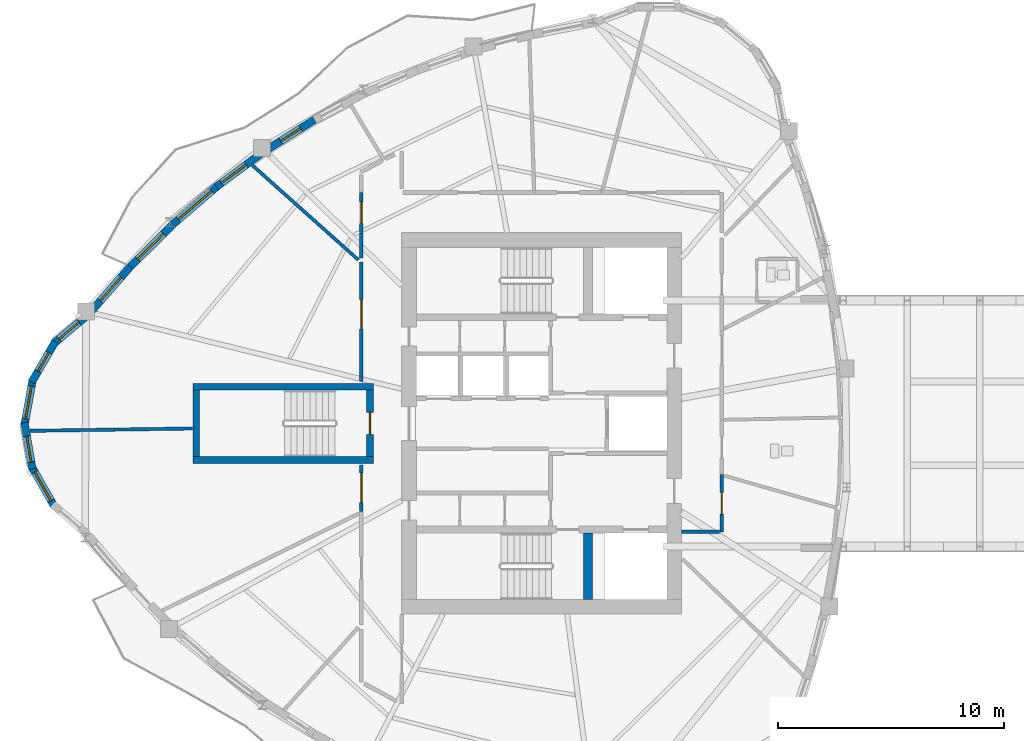
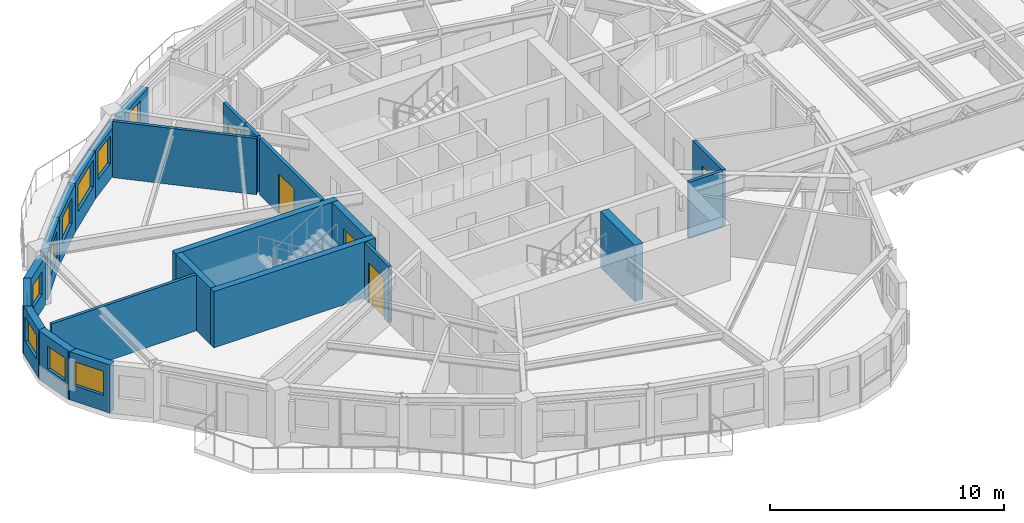
# One storey, part 5 of 13: 23 walls, 10 windows, 5 doors, 15 openings.
"""IFC4 building model written with IfcOpenShell, lengths in metres."""

import ifcopenshell
import ifcopenshell.guid

model = None  # the IFC model being written
_history = None  # IfcOwnerHistory: only IFC2X3 demands one
_inside = {}  # id of a spatial element -> (the spatial element, [elements in it])
_under = {}  # id of a project, library or spatial element -> (it, [spatial elements below it])
_declared = {}  # id of a project -> (the project, [libraries it declares])
_typed = {}  # id of a type object -> (the type object, [elements of that type])
_made_of = {}  # id of a material, layer set ... -> (it, [elements and type objects made of it])


def new_model(schema):
    """Start an empty IFC model of exactly this schema.

    Asked for "IFC4X3", IfcOpenShell would pick the latest addendum, in which some entities
    have other attributes; the version numbers below select the first issue.
    IFC2X3 requires an IfcOwnerHistory on every rooted entity: one is made here for all.
    """
    global model, _history
    if schema == "IFC4X3":
        model = ifcopenshell.file(schema_version=(4, 3, 0, 0))
    else:
        model = ifcopenshell.file(schema=schema)
    _inside.clear()
    _under.clear()
    _declared.clear()
    _typed.clear()
    _made_of.clear()
    _history = None
    if model.schema == "IFC2X3":
        org = make("IfcOrganization", Name="unknown")
        user = make(
            "IfcPersonAndOrganization",
            ThePerson=make("IfcPerson", FamilyName="unknown"),
            TheOrganization=org,
        )
        app = make(
            "IfcApplication",
            ApplicationDeveloper=org,
            Version="unknown",
            ApplicationFullName="unknown",
            ApplicationIdentifier="unknown",
        )
        _history = make(
            "IfcOwnerHistory",
            OwningUser=user,
            OwningApplication=app,
            ChangeAction="ADDED",
            CreationDate=0,
        )
    return model


def make(cls, **values):
    """One entity of the class cls with the attributes given. An attribute that is None is left unset."""
    return model.create_entity(
        cls, **{name: value for name, value in values.items() if value is not None}
    )


def rooted(cls, **values):
    """An entity with a GlobalId (a new one), such as an element, a storey or a relation."""
    return make(cls, GlobalId=ifcopenshell.guid.new(), OwnerHistory=_history, **values)


def si_unit(unit_type, name, prefix=None):
    """IfcSIUnit, for example si_unit("LENGTHUNIT", "METRE", prefix="MILLI")."""
    return make("IfcSIUnit", UnitType=unit_type, Prefix=prefix, Name=name)


def assignment(units):
    """IfcUnitAssignment: the units of a project."""
    return None if units is None else make("IfcUnitAssignment", Units=units)


def point(xyz):
    """IfcCartesianPoint."""
    return None if xyz is None else make("IfcCartesianPoint", Coordinates=xyz)


def direction(xyz):
    """IfcDirection."""
    return None if xyz is None else make("IfcDirection", DirectionRatios=xyz)


def frame(location, z_axis=None, x_axis=None):
    """IfcAxis2Placement3D, a coordinate frame: its origin and axes. An axis left out is left unset."""
    return make(
        "IfcAxis2Placement3D",
        Location=point(location),
        Axis=direction(z_axis),
        RefDirection=direction(x_axis),
    )


def frame_2d(location, x_axis=None):
    """IfcAxis2Placement2D, a coordinate frame in the plane: its origin and x axis."""
    return make(
        "IfcAxis2Placement2D", Location=point(location), RefDirection=direction(x_axis)
    )


def origin():
    """The frame at (0, 0, 0) with its axes left unset."""
    return frame((0.0, 0.0, 0.0))


def place(relative_to, where):
    """IfcLocalPlacement: puts the frame where relative to a parent placement (None: the world)."""
    return make(
        "IfcLocalPlacement", PlacementRelTo=relative_to, RelativePlacement=where
    )


def context(
    kind, dimensions, precision=None, world=None, true_north=None, identifier=None
):
    """IfcGeometricRepresentationContext, for example the 3D "Model" context."""
    return make(
        "IfcGeometricRepresentationContext",
        ContextIdentifier=identifier,
        ContextType=kind,
        CoordinateSpaceDimension=dimensions,
        Precision=precision,
        WorldCoordinateSystem=world,
        TrueNorth=true_north,
    )


def subcontext(parent, identifier, kind, view, scale=None):
    """IfcGeometricRepresentationSubContext, for example "Body" below "Model"."""
    return make(
        "IfcGeometricRepresentationSubContext",
        ContextIdentifier=identifier,
        ContextType=kind,
        ParentContext=parent,
        TargetScale=scale,
        TargetView=view,
    )


def project(units=None, contexts=None):
    """IfcProject with its units and contexts."""
    return rooted(
        "IfcProject",
        Name="project",
        RepresentationContexts=contexts,
        UnitsInContext=assignment(units),
    )


def spatial(cls, under=None, at=None, **own):
    """A site, building, storey or space (cls), placed at a placement, below another one or the project."""
    s = rooted(cls, ObjectPlacement=at, **own)
    if under is not None:
        _under.setdefault(under.id(), (under, []))[1].append(s)
    return s


def profile(cls, at=None, kind="AREA", **sizes):
    """A parametric profile (cls). Its sizes go by their IFC names, for example OverallWidth=200.0."""
    return make(cls, ProfileType=kind, Position=at, **sizes)


def rectangle(**sizes):
    """IfcRectangleProfileDef."""
    return profile("IfcRectangleProfileDef", **sizes)


def extrude(swept, where, along, depth):
    """IfcExtrudedAreaSolid: the profile swept, set in the frame where, extruded along a direction by depth."""
    return make(
        "IfcExtrudedAreaSolid",
        SweptArea=swept,
        Position=where,
        ExtrudedDirection=direction(along),
        Depth=depth,
    )


def shape(context_of_items, identifier, shape_type, items):
    """IfcShapeRepresentation: the items that make up one representation, for example the "Body"."""
    return make(
        "IfcShapeRepresentation",
        ContextOfItems=context_of_items,
        RepresentationIdentifier=identifier,
        RepresentationType=shape_type,
        Items=items,
    )


def source(mapping_origin, context_of_items, identifier, shape_type, items):
    """IfcRepresentationMap: a shape defined once, which mapped items show again and again."""
    return make(
        "IfcRepresentationMap",
        MappingOrigin=mapping_origin,
        MappedRepresentation=shape(context_of_items, identifier, shape_type, items),
    )


def transform(
    local_origin,
    x_axis=None,
    y_axis=None,
    z_axis=None,
    scale=None,
    scale2=None,
    scale3=None,
    uniform=True,
):
    """IfcCartesianTransformationOperator3D, or its non-uniform kind. x_axis, y_axis, z_axis: its Axis1, 2, 3."""
    if uniform:
        return make(
            "IfcCartesianTransformationOperator3D",
            Axis1=direction(x_axis),
            Axis2=direction(y_axis),
            LocalOrigin=point(local_origin),
            Scale=scale,
            Axis3=direction(z_axis),
        )
    return make(
        "IfcCartesianTransformationOperator3DnonUniform",
        Axis1=direction(x_axis),
        Axis2=direction(y_axis),
        LocalOrigin=point(local_origin),
        Scale=scale,
        Axis3=direction(z_axis),
        Scale2=scale2,
        Scale3=scale3,
    )


def mapped(mapping_source, mapping_target):
    """IfcMappedItem: shows the shape of a source again, moved by a transform."""
    return make(
        "IfcMappedItem", MappingSource=mapping_source, MappingTarget=mapping_target
    )


def material(Name=None, Category=None):
    """IfcMaterial."""
    return make("IfcMaterial", Name=Name, Category=Category)


def layer(
    of_material, thickness, ventilated=None, Name=None, Category=None, Priority=None
):
    """IfcMaterialLayer: one layer of a wall or slab, of a material (None: an air gap)."""
    return make(
        "IfcMaterialLayer",
        Material=of_material,
        LayerThickness=thickness,
        IsVentilated=ventilated,
        Name=Name,
        Category=Category,
        Priority=Priority,
    )


def layer_set(layers, Name=None):
    """IfcMaterialLayerSet."""
    return make("IfcMaterialLayerSet", MaterialLayers=layers, LayerSetName=Name)


def made_of(thing, what):
    """Note that an element or type object is made of a material, layer set ...; save() writes the relation."""
    if what is not None:
        _made_of.setdefault(what.id(), (what, []))[1].append(thing)
    return thing


def type_object(cls, material=None, **own):
    """A type object (cls), such as IfcWallType, which elements share."""
    return made_of(rooted(cls, **own), material)


def element(
    cls,
    number,
    at=None,
    inside=None,
    cuts=None,
    type_object=None,
    material=None,
    context=None,
    identifier="Body",
    shape_type=None,
    held_by="IfcProductDefinitionShape",
    body=None,
    shapes=None,
    **own,
):
    """One element of the class cls, such as IfcWall. Its Tag is "e" and its number.

    at: its placement. inside: the storey or other place that contains it. cuts: it is an
    opening in that element (IfcRelVoidsElement). A single representation is given by context,
    identifier, shape_type and body (its items); several are given by shapes. held_by: the class
    of the entity that holds the representations. save() writes the other relations.
    """
    e = rooted(cls, Tag="e%d" % number, ObjectPlacement=at, **own)
    if body is not None:
        shapes = [shape(context, identifier, shape_type, body)]
    if shapes is not None:
        e.Representation = make(held_by, Representations=shapes)
    if inside is not None:
        _inside.setdefault(inside.id(), (inside, []))[1].append(e)
    if cuts is not None:
        rooted(
            "IfcRelVoidsElement", RelatingBuildingElement=cuts, RelatedOpeningElement=e
        )
    if type_object is not None:
        _typed.setdefault(type_object.id(), (type_object, []))[1].append(e)
    return made_of(e, material)


def fill(opening, filler):
    """IfcRelFillsElement: the door or window that sits in an opening."""
    return rooted(
        "IfcRelFillsElement",
        RelatingOpeningElement=opening,
        RelatedBuildingElement=filler,
    )


def aggregate(whole, parts):
    """IfcRelAggregates: a whole, such as a stair, and the parts it consists of."""
    return rooted("IfcRelAggregates", RelatingObject=whole, RelatedObjects=parts)


def save(model, path):
    """Write the relations noted so far, then the file.

    IfcRelAggregates (storeys below a building ...), IfcRelContainedInSpatialStructure (elements
    in a storey), IfcRelDefinesByType, IfcRelAssociatesMaterial and IfcRelDeclares: one each for
    every whole, place, type object, material and project.
    """
    for whole, parts in _under.values():
        aggregate(whole, parts)
    for where, things in _inside.values():
        rooted(
            "IfcRelContainedInSpatialStructure",
            RelatedElements=things,
            RelatingStructure=where,
        )
    for kind, things in _typed.values():
        rooted("IfcRelDefinesByType", RelatedObjects=things, RelatingType=kind)
    for what, things in _made_of.values():
        rooted("IfcRelAssociatesMaterial", RelatedObjects=things, RelatingMaterial=what)
    for by, libraries in _declared.values():
        rooted("IfcRelDeclares", RelatingContext=by, RelatedDefinitions=libraries)
    model.write(path)


model = new_model("IFC4")

# Units and contexts
model_context = context("Model", 3, precision=1e-05, world=origin(), true_north=direction((0.0, 1.0)))
body_context = subcontext(model_context, "Body", "Model", "MODEL_VIEW")
ifc_project = project(units=[si_unit("LENGTHUNIT", "METRE"), si_unit("AREAUNIT", "SQUARE_METRE"), si_unit("VOLUMEUNIT", "CUBIC_METRE"), si_unit("PLANEANGLEUNIT", "RADIAN"), si_unit("MASSUNIT", "GRAM", prefix="KILO")], contexts=[model_context])

# Site, building, storey
site_placement = place(None, origin())
site = spatial("IfcSite", under=ifc_project, at=site_placement, CompositionType="ELEMENT")
building_placement = place(site_placement, origin())
building = spatial("IfcBuilding", under=site, at=building_placement, Name="Qafzar Sky-Pleat Residences", CompositionType="ELEMENT")
storey_placement = place(building_placement, frame((0.0, 0.0, 155.39990234375)))
storey = spatial("IfcBuildingStorey", under=building, at=storey_placement, Name="L46", CompositionType="ELEMENT", Elevation=155.39990234375)

# Wall, opening, door
ifc_material_1 = material(Name="Acoustic gypsum plasterboard partition", Category="gypsum")
ifc_layer_1 = layer(ifc_material_1, 0.159912109375)
ifc_layer_set_1 = layer_set([ifc_layer_1], Name="Acoustic gypsum plasterboard partition")
wall_type_1 = type_object("IfcWallType", Name="PART-COR-160", PredefinedType="PARTITIONING", material=ifc_layer_set_1)
wall_1_placement = place(storey_placement, frame((22.3701171875, 27.85009765625, 0.0), z_axis=(0.0, 0.0, 1.0), x_axis=(0.0, 1.0, 0.0)))
wall_1 = element("IfcWall", 1, at=wall_1_placement, inside=storey, type_object=wall_type_1, Name="L46 Partition Wall PART-L46-PW-003", PredefinedType="PARTITIONING", context=body_context, shape_type="SweptSolid", body=[
    extrude(rectangle(XDim=5.2939453125, YDim=0.159912109375, at=frame_2d((2.64697265625, 0.0))), origin(), (0.0, 0.0, 1.0), 2.93505859375),
])
opening_1_placement = place(wall_1_placement, frame((2.340576171875, 0.0, 0.0)))
opening_1 = element("IfcOpeningElement", 2, at=opening_1_placement, cuts=wall_1, Name="Opening ID-05", PredefinedType="OPENING", context=body_context, shape_type="SweptSolid", body=[
    extrude(rectangle(XDim=1.300048828125, YDim=2.10009765625, at=frame_2d((0.64990234375, 1.050048828125))), frame((0.0, 0.08984375, 0.0), z_axis=(0.0, -1.0, 0.0), x_axis=(1.0, 0.0, 0.0)), (0.0, 0.0, 1.0), 0.179931640625),
])
ifc_material_2 = material(Name="Timber-faced fire door", Category="wood")
door_type_1 = type_object("IfcDoorType", Name="DR-LNG-1300", OperationType="DOUBLE_DOOR_SINGLE_SWING", PredefinedType="DOOR", material=ifc_material_2)
shared_shape_1 = source(origin(), body_context, "Body", "SweptSolid", [
    extrude(rectangle(XDim=1.300048828125, YDim=2.10009765625, at=frame_2d((0.64990234375, 1.050048828125))), frame((0.0, 0.02490234375, 0.0), z_axis=(0.0, -1.0, 0.0), x_axis=(1.0, 0.0, 0.0)), (0.0, 0.0, 1.0), 0.050048828125),
])
door_1_placement = place(opening_1_placement, origin())
door_1 = element("IfcDoor", 3, at=door_1_placement, inside=storey, type_object=door_type_1, Name="L46 Tutorial Huddle Room Door", OperationType="DOUBLE_DOOR_SINGLE_SWING", OverallHeight=2.10009765625, OverallWidth=1.300048828125, PredefinedType="DOOR", context=body_context, shape_type="MappedRepresentation", body=[
    mapped(shared_shape_1, transform((0.0, 0.0, 0.0), x_axis=(1.0, 0.0, 0.0), y_axis=(0.0, 1.0, 0.0), z_axis=(0.0, 0.0, 1.0), scale=1.0)),
])
fill(opening_1, door_1)

wall_2_placement = place(storey_placement, frame((38.330078125, 23.735107421875, 0.0), z_axis=(0.0, 0.0, 1.0), x_axis=(0.0, -1.0, 0.0)))
wall_2 = element("IfcWall", 4, at=wall_2_placement, inside=storey, type_object=wall_type_1, Name="L46 Partition Wall PART-L46-PW-011", PredefinedType="PARTITIONING", context=body_context, shape_type="SweptSolid", body=[
    extrude(rectangle(XDim=2.53515625, YDim=0.159912109375, at=frame_2d((1.267578125, 0.0))), origin(), (0.0, 0.0, 1.0), 2.93505859375),
])
opening_2_placement = place(wall_2_placement, frame((0.79541015625, 0.0, 0.0)))
opening_2 = element("IfcOpeningElement", 5, at=opening_2_placement, cuts=wall_2, Name="Opening ID-06", PredefinedType="OPENING", context=body_context, shape_type="SweptSolid", body=[
    extrude(rectangle(XDim=0.9599609375, YDim=2.10009765625, at=frame_2d((0.47998046875, 1.050048828125))), frame((0.0, 0.08984375, 0.0), z_axis=(0.0, -1.0, 0.0), x_axis=(1.0, 0.0, 0.0)), (0.0, 0.0, 1.0), 0.179931640625),
])
door_type_2 = type_object("IfcDoorType", Name="DR-STD-960", OperationType="NOTDEFINED", PredefinedType="DOOR", material=ifc_material_2)
shared_shape_2 = source(origin(), body_context, "Body", "SweptSolid", [
    extrude(rectangle(XDim=0.9599609375, YDim=2.10009765625, at=frame_2d((0.47998046875, 1.050048828125))), frame((0.0, 0.02490234375, 0.0), z_axis=(0.0, -1.0, 0.0), x_axis=(1.0, 0.0, 0.0)), (0.0, 0.0, 1.0), 0.050048828125),
])
door_2_placement = place(opening_2_placement, origin())
door_2 = element("IfcDoor", 6, at=door_2_placement, inside=storey, type_object=door_type_2, Name="L46 Reading Library Door", OperationType="SINGLE_SWING_LEFT", OverallHeight=2.10009765625, OverallWidth=0.9599609375, PredefinedType="DOOR", context=body_context, shape_type="MappedRepresentation", body=[
    mapped(shared_shape_2, transform((0.0, 0.0, 0.0), x_axis=(1.0, 0.0, 0.0), y_axis=(0.0, 1.0, 0.0), z_axis=(0.0, 0.0, 1.0), scale=1.0)),
])
fill(opening_2, door_2)

wall_3_placement = place(storey_placement, frame((22.3701171875, 22.093994140625, 0.0), z_axis=(0.0, 0.0, 1.0), x_axis=(0.0, 1.0, 0.0)))
wall_3 = element("IfcWall", 7, at=wall_3_placement, inside=storey, type_object=wall_type_1, Name="L46 Partition Wall PART-L46-PW-013", PredefinedType="PARTITIONING", context=body_context, shape_type="SweptSolid", body=[
    extrude(rectangle(XDim=2.055908203125, YDim=0.159912109375, at=frame_2d((1.02783203125, 0.0))), origin(), (0.0, 0.0, 1.0), 2.93505859375),
])
opening_3_placement = place(wall_3_placement, frame((0.39990234375, 0.0, 0.0)))
opening_3 = element("IfcOpeningElement", 8, at=opening_3_placement, cuts=wall_3, Name="Opening ID-05", PredefinedType="OPENING", context=body_context, shape_type="SweptSolid", body=[
    extrude(rectangle(XDim=1.300048828125, YDim=2.10009765625, at=frame_2d((0.64990234375, 1.050048828125))), frame((0.0, 0.08984375, 0.0), z_axis=(0.0, -1.0, 0.0), x_axis=(1.0, 0.0, 0.0)), (0.0, 0.0, 1.0), 0.179931640625),
])
door_3_placement = place(opening_3_placement, origin())
door_3 = element("IfcDoor", 9, at=door_3_placement, inside=storey, type_object=door_type_1, Name="L46 Research Conference Room Door", OperationType="DOUBLE_DOOR_SINGLE_SWING", OverallHeight=2.10009765625, OverallWidth=1.300048828125, PredefinedType="DOOR", context=body_context, shape_type="MappedRepresentation", body=[
    mapped(shared_shape_1, transform((0.0, 0.0, 0.0), x_axis=(1.0, 0.0, 0.0), y_axis=(0.0, 1.0, 0.0), z_axis=(0.0, 0.0, 1.0), scale=1.0)),
])
fill(opening_3, door_3)

wall_4_placement = place(storey_placement, frame((22.3701171875, 34.449951171875, 0.0), z_axis=(0.0, 0.0, 1.0), x_axis=(0.0, 1.0, 0.0)))
wall_4 = element("IfcWall", 10, at=wall_4_placement, inside=storey, type_object=wall_type_1, Name="L46 Partition Wall PART-L46-PW-015", PredefinedType="PARTITIONING", context=body_context, shape_type="SweptSolid", body=[
    extrude(rectangle(XDim=1.780029296875, YDim=0.159912109375, at=frame_2d((0.89013671875, 0.0))), origin(), (0.0, 0.0, 1.0), 2.93505859375),
])
opening_4_placement = place(wall_4_placement, frame((0.409912109375, 0.0, 0.0)))
opening_4 = element("IfcOpeningElement", 11, at=opening_4_placement, cuts=wall_4, Name="Opening ID-06", PredefinedType="OPENING", context=body_context, shape_type="SweptSolid", body=[
    extrude(rectangle(XDim=0.9599609375, YDim=2.10009765625, at=frame_2d((0.47998046875, 1.050048828125))), frame((0.0, 0.08984375, 0.0), z_axis=(0.0, -1.0, 0.0), x_axis=(1.0, 0.0, 0.0)), (0.0, 0.0, 1.0), 0.179931640625),
])
door_4_placement = place(opening_4_placement, origin())
door_4 = element("IfcDoor", 12, at=door_4_placement, inside=storey, type_object=door_type_2, Name="L46 Communal Kitchen Door", OperationType="SINGLE_SWING_RIGHT", OverallHeight=2.10009765625, OverallWidth=0.9599609375, PredefinedType="DOOR", context=body_context, shape_type="MappedRepresentation", body=[
    mapped(shared_shape_2, transform((0.0, 0.0, 0.0), x_axis=(1.0, 0.0, 0.0), y_axis=(0.0, 1.0, 0.0), z_axis=(0.0, 0.0, 1.0), scale=1.0)),
])
fill(opening_4, door_4)

# Walls
wall_5_placement = place(storey_placement, frame((36.55810546875, 21.199951171875, 0.0), z_axis=(0.0, 0.0, 1.0), x_axis=(1.0, 0.0, 0.0)))
element("IfcWall", 13, at=wall_5_placement, inside=storey, type_object=wall_type_1, Name="L46 Partition Wall PART-L46-PW-032", PredefinedType="PARTITIONING", context=body_context, shape_type="SweptSolid", body=[
    extrude(rectangle(XDim=1.683837890625, YDim=0.159912109375, at=frame_2d((0.841796875, 0.0))), origin(), (0.0, 0.0, 1.0), 2.93505859375),
])
wall_6_placement = place(storey_placement, frame((22.3701171875, 33.335693359375, 0.0), z_axis=(0.0, 0.0, 1.0), x_axis=(0.0, 1.0, 0.0)))
element("IfcWall", 14, at=wall_6_placement, inside=storey, type_object=wall_type_1, Name="L46 Partition Wall PART-L46-PW-040", PredefinedType="PARTITIONING", context=body_context, shape_type="SweptSolid", body=[
    extrude(rectangle(XDim=1.099365234375, YDim=0.159912109375, at=frame_2d((0.5498046875, 0.0))), origin(), (0.0, 0.0, 1.0), 2.93505859375),
])
ifc_layer_2 = layer(ifc_material_1, 0.14501953125)
ifc_layer_set_2 = layer_set([ifc_layer_2], Name="Acoustic gypsum plasterboard partition")
wall_type_2 = type_object("IfcWallType", Name="PART-UNIT-145", PredefinedType="PARTITIONING", material=ifc_layer_set_2)
wall_7_placement = place(storey_placement, frame((7.689453125, 25.67138671875, 0.0), z_axis=(0.0, 0.0, 1.0), x_axis=(0.999894747293, 0.014508422953, 0.0)))
element("IfcWall", 15, at=wall_7_placement, inside=storey, type_object=wall_type_2, Name="L46 Partition Wall PART-L46-PW-019", PredefinedType="PARTITIONING", context=body_context, shape_type="SweptSolid", body=[
    extrude(rectangle(XDim=7.2021484375, YDim=0.14501953125, at=frame_2d((3.60107421875, 0.0))), origin(), (0.0, 0.0, 1.0), 2.93505859375),
])
wall_8_placement = place(storey_placement, frame((17.544921875, 37.431640625, 0.0), z_axis=(0.0, 0.0, 1.0), x_axis=(0.745965905636, -0.665984134668, 0.0)))
element("IfcWall", 16, at=wall_8_placement, inside=storey, type_object=wall_type_2, Name="L46 Partition Wall PART-L46-PW-021", PredefinedType="PARTITIONING", context=body_context, shape_type="SweptSolid", body=[
    extrude(rectangle(XDim=6.2880859375, YDim=0.14501953125, at=frame_2d((3.14404296875, 0.0))), origin(), (0.0, 0.0, 1.0), 2.93505859375),
])

# Wall, opening, window
ifc_material_3 = material(Name="Precast concrete C40/50 with honed Riyadh limestone", Category="concrete")
ifc_layer_3 = layer(ifc_material_3, 0.340087890625)
ifc_layer_set_3 = layer_set([ifc_layer_3], Name="Precast concrete C40/50 with honed Riyadh limestone")
wall_type_3 = type_object("IfcWallType", Name="WALL-EXT-340", PredefinedType="SOLIDWALL", material=ifc_layer_set_3)
wall_9_placement = place(storey_placement, frame((10.1640625, 30.737548828125, 0.0), z_axis=(0.0, 0.0, 1.0), x_axis=(-0.766501557267, -0.64224244854, 0.0)))
wall_9 = element("IfcWall", 17, at=wall_9_placement, inside=storey, type_object=wall_type_3, Name="L46 Limestone Facade Wall 1", PredefinedType="SOLIDWALL", context=body_context, shape_type="SweptSolid", body=[
    extrude(rectangle(XDim=1.88818359375, YDim=0.340087890625, at=frame_2d((0.944091796875, 0.0))), origin(), (0.0, 0.0, 1.0), 2.51513671875),
])
opening_5_placement = place(wall_9_placement, frame((0.404052734375, 0.0, 0.820068359375)))
opening_5 = element("IfcOpeningElement", 18, at=opening_5_placement, cuts=wall_9, Name="Opening WN-16", PredefinedType="OPENING", context=body_context, shape_type="SweptSolid", body=[
    extrude(rectangle(XDim=1.14990234375, YDim=1.199951171875, at=frame_2d((0.574951171875, 0.60009765625))), frame((0.0, 0.18017578125, 0.0), z_axis=(0.0, -1.0, 0.0), x_axis=(1.0, 0.0, 0.0)), (0.0, 0.0, 1.0), 0.360107421875),
])
ifc_material_4 = material(Name="Solar-control low-E glass in bronze aluminium frame", Category="glass")
window_type_1 = type_object("IfcWindowType", Name="WIN-16", PartitioningType="SINGLE_PANEL", PredefinedType="WINDOW", material=ifc_material_4)
shared_shape_3 = source(origin(), body_context, "Body", "SweptSolid", [
    extrude(rectangle(XDim=1.14990234375, YDim=1.199951171875, at=frame_2d((0.574951171875, 0.60009765625))), frame((0.0, 0.030029296875, 0.0), z_axis=(0.0, -1.0, 0.0), x_axis=(1.0, 0.0, 0.0)), (0.0, 0.0, 1.0), 0.06005859375),
])
window_1_placement = place(opening_5_placement, origin())
window_1 = element("IfcWindow", 19, at=window_1_placement, inside=storey, type_object=window_type_1, Name="L46 Punched Facade Window 01", OverallHeight=1.199951171875, OverallWidth=1.14990234375, PartitioningType="SINGLE_PANEL", PredefinedType="WINDOW", context=body_context, shape_type="MappedRepresentation", body=[
    mapped(shared_shape_3, transform((0.0, 0.0, 0.0), x_axis=(1.0, 0.0, 0.0), y_axis=(0.0, 1.0, 0.0), z_axis=(0.0, 0.0, 1.0), scale=1.0)),
])
fill(opening_5, window_1)

wall_10_placement = place(storey_placement, frame((8.802734375, 29.627197265625, 0.0), z_axis=(0.0, 0.0, 1.0), x_axis=(-0.502090235641, -0.864815237651, 0.0)))
wall_10 = element("IfcWall", 20, at=wall_10_placement, inside=storey, type_object=wall_type_3, Name="L46 Limestone Facade Wall 2", PredefinedType="SOLIDWALL", context=body_context, shape_type="SweptSolid", body=[
    extrude(rectangle(XDim=2.0810546875, YDim=0.340087890625, at=frame_2d((1.04052734375, 0.0))), origin(), (0.0, 0.0, 1.0), 2.51513671875),
])
opening_6_placement = place(wall_10_placement, frame((0.5654296875, 0.0, 0.820068359375)))
opening_6 = element("IfcOpeningElement", 21, at=opening_6_placement, cuts=wall_10, Name="Opening WN-12", PredefinedType="OPENING", context=body_context, shape_type="SweptSolid", body=[
    extrude(rectangle(XDim=0.949951171875, YDim=1.35009765625, at=frame_2d((0.47509765625, 0.675048828125))), frame((0.0, 0.18017578125, 0.0), z_axis=(0.0, -1.0, 0.0), x_axis=(1.0, 0.0, 0.0)), (0.0, 0.0, 1.0), 0.360107421875),
])
window_type_2 = type_object("IfcWindowType", Name="WIN-12", PartitioningType="SINGLE_PANEL", PredefinedType="WINDOW", material=ifc_material_4)
shared_shape_4 = source(origin(), body_context, "Body", "SweptSolid", [
    extrude(rectangle(XDim=0.949951171875, YDim=1.35009765625, at=frame_2d((0.47509765625, 0.675048828125))), frame((0.0, 0.030029296875, 0.0), z_axis=(0.0, -1.0, 0.0), x_axis=(1.0, 0.0, 0.0)), (0.0, 0.0, 1.0), 0.06005859375),
])
window_2_placement = place(opening_6_placement, origin())
window_2 = element("IfcWindow", 22, at=window_2_placement, inside=storey, type_object=window_type_2, Name="L46 Punched Facade Window 02", OverallHeight=1.35009765625, OverallWidth=0.949951171875, PartitioningType="SINGLE_PANEL", PredefinedType="WINDOW", context=body_context, shape_type="MappedRepresentation", body=[
    mapped(shared_shape_4, transform((0.0, 0.0, 0.0), x_axis=(1.0, 0.0, 0.0), y_axis=(0.0, 1.0, 0.0), z_axis=(0.0, 0.0, 1.0), scale=1.0)),
])
fill(opening_6, window_2)

wall_11_placement = place(storey_placement, frame((7.803955078125, 27.952880859375, 0.0), z_axis=(0.0, 0.0, 1.0), x_axis=(-0.177605215389, -0.984101817632, 0.0)))
wall_11 = element("IfcWall", 23, at=wall_11_placement, inside=storey, type_object=wall_type_3, Name="L46 Limestone Facade Wall 3", PredefinedType="SOLIDWALL", context=body_context, shape_type="SweptSolid", body=[
    extrude(rectangle(XDim=2.081298828125, YDim=0.340087890625, at=frame_2d((1.04052734375, 0.0))), origin(), (0.0, 0.0, 1.0), 2.51513671875),
])
opening_7_placement = place(wall_11_placement, frame((0.315673828125, 0.0, 0.820068359375)))
opening_7 = element("IfcOpeningElement", 24, at=opening_7_placement, cuts=wall_11, Name="Opening WN-15", PredefinedType="OPENING", context=body_context, shape_type="SweptSolid", body=[
    extrude(rectangle(XDim=1.449951171875, YDim=1.25, at=frame_2d((0.72509765625, 0.625))), frame((0.0, 0.18017578125, 0.0), z_axis=(0.0, -1.0, 0.0), x_axis=(1.0, 0.0, 0.0)), (0.0, 0.0, 1.0), 0.360107421875),
])
window_type_3 = type_object("IfcWindowType", Name="WIN-15", PartitioningType="SINGLE_PANEL", PredefinedType="WINDOW", material=ifc_material_4)
shared_shape_5 = source(origin(), body_context, "Body", "SweptSolid", [
    extrude(rectangle(XDim=1.449951171875, YDim=1.25, at=frame_2d((0.72509765625, 0.625))), frame((0.0, 0.030029296875, 0.0), z_axis=(0.0, -1.0, 0.0), x_axis=(1.0, 0.0, 0.0)), (0.0, 0.0, 1.0), 0.06005859375),
])
window_3_placement = place(opening_7_placement, origin())
window_3 = element("IfcWindow", 25, at=window_3_placement, inside=storey, type_object=window_type_3, Name="L46 Punched Facade Window 03", OverallHeight=1.25, OverallWidth=1.449951171875, PartitioningType="SINGLE_PANEL", PredefinedType="WINDOW", context=body_context, shape_type="MappedRepresentation", body=[
    mapped(shared_shape_5, transform((0.0, 0.0, 0.0), x_axis=(1.0, 0.0, 0.0), y_axis=(0.0, 1.0, 0.0), z_axis=(0.0, 0.0, 1.0), scale=1.0)),
])
fill(opening_7, window_3)

wall_12_placement = place(storey_placement, frame((7.43505859375, 26.038330078125, 0.0), z_axis=(0.0, 0.0, 1.0), x_axis=(0.168107405166, -0.985768685001, 0.0)))
wall_12 = element("IfcWall", 26, at=wall_12_placement, inside=storey, type_object=wall_type_3, Name="L46 Limestone Facade Wall 4", PredefinedType="SOLIDWALL", context=body_context, shape_type="SweptSolid", body=[
    extrude(rectangle(XDim=2.0810546875, YDim=0.340087890625, at=frame_2d((1.04052734375, 0.0))), origin(), (0.0, 0.0, 1.0), 2.51513671875),
])
opening_8_placement = place(wall_12_placement, frame((0.62548828125, 0.0, 0.820068359375)))
opening_8 = element("IfcOpeningElement", 27, at=opening_8_placement, cuts=wall_12, Name="Opening WN-16", PredefinedType="OPENING", context=body_context, shape_type="SweptSolid", body=[
    extrude(rectangle(XDim=1.14990234375, YDim=1.199951171875, at=frame_2d((0.574951171875, 0.60009765625))), frame((0.0, 0.18017578125, 0.0), z_axis=(0.0, -1.0, 0.0), x_axis=(1.0, 0.0, 0.0)), (0.0, 0.0, 1.0), 0.360107421875),
])
window_4_placement = place(opening_8_placement, origin())
window_4 = element("IfcWindow", 28, at=window_4_placement, inside=storey, type_object=window_type_1, Name="L46 Punched Facade Window 04", OverallHeight=1.199951171875, OverallWidth=1.14990234375, PartitioningType="SINGLE_PANEL", PredefinedType="WINDOW", context=body_context, shape_type="MappedRepresentation", body=[
    mapped(shared_shape_3, transform((0.0, 0.0, 0.0), x_axis=(1.0, 0.0, 0.0), y_axis=(0.0, 1.0, 0.0), z_axis=(0.0, 0.0, 1.0), scale=1.0)),
])
fill(opening_8, window_4)

wall_13_placement = place(storey_placement, frame((7.739990234375, 24.11279296875, 0.0), z_axis=(0.0, 0.0, 1.0), x_axis=(0.493660675866, -0.869654607936, 0.0)))
wall_13 = element("IfcWall", 29, at=wall_13_placement, inside=storey, type_object=wall_type_3, Name="L46 Limestone Facade Wall 5", PredefinedType="SOLIDWALL", context=body_context, shape_type="SweptSolid", body=[
    extrude(rectangle(XDim=2.0810546875, YDim=0.340087890625, at=frame_2d((1.04052734375, 0.0))), origin(), (0.0, 0.0, 1.0), 2.51513671875),
])
opening_9_placement = place(wall_13_placement, frame((0.315673828125, 0.0, 0.820068359375)))
opening_9 = element("IfcOpeningElement", 30, at=opening_9_placement, cuts=wall_13, Name="Opening WN-15", PredefinedType="OPENING", context=body_context, shape_type="SweptSolid", body=[
    extrude(rectangle(XDim=1.449951171875, YDim=1.25, at=frame_2d((0.72509765625, 0.625))), frame((0.0, 0.18017578125, 0.0), z_axis=(0.0, -1.0, 0.0), x_axis=(1.0, 0.0, 0.0)), (0.0, 0.0, 1.0), 0.360107421875),
])
window_5_placement = place(opening_9_placement, origin())
window_5 = element("IfcWindow", 31, at=window_5_placement, inside=storey, type_object=window_type_3, Name="L46 Punched Facade Window 05", OverallHeight=1.25, OverallWidth=1.449951171875, PartitioningType="SINGLE_PANEL", PredefinedType="WINDOW", context=body_context, shape_type="MappedRepresentation", body=[
    mapped(shared_shape_5, transform((0.0, 0.0, 0.0), x_axis=(1.0, 0.0, 0.0), y_axis=(0.0, 1.0, 0.0), z_axis=(0.0, 0.0, 1.0), scale=1.0)),
])
fill(opening_9, window_5)

wall_14_placement = place(storey_placement, frame((20.284423828125, 39.452392578125, 0.0), z_axis=(0.0, 0.0, 1.0), x_axis=(-0.846415587119, -0.532522913951, 0.0)))
wall_14 = element("IfcWall", 32, at=wall_14_placement, inside=storey, type_object=wall_type_3, Name="L46 Limestone Facade Wall 44", PredefinedType="SOLIDWALL", context=body_context, shape_type="SweptSolid", body=[
    extrude(rectangle(XDim=2.4755859375, YDim=0.340087890625, at=frame_2d((1.23779296875, 0.0))), origin(), (0.0, 0.0, 1.0), 2.51513671875),
])
opening_10_placement = place(wall_14_placement, frame((0.718017578125, 0.0, 0.820068359375)))
opening_10 = element("IfcOpeningElement", 33, at=opening_10_placement, cuts=wall_14, Name="Opening WN-06", PredefinedType="OPENING", context=body_context, shape_type="SweptSolid", body=[
    extrude(rectangle(XDim=1.050048828125, YDim=1.449951171875, at=frame_2d((0.52490234375, 0.72509765625))), frame((0.0, 0.18017578125, 0.0), z_axis=(0.0, -1.0, 0.0), x_axis=(1.0, 0.0, 0.0)), (0.0, 0.0, 1.0), 0.360107421875),
])
window_type_4 = type_object("IfcWindowType", Name="WIN-06", PartitioningType="SINGLE_PANEL", PredefinedType="WINDOW", material=ifc_material_4)
shared_shape_6 = source(origin(), body_context, "Body", "SweptSolid", [
    extrude(rectangle(XDim=1.050048828125, YDim=1.449951171875, at=frame_2d((0.52490234375, 0.72509765625))), frame((0.0, 0.030029296875, 0.0), z_axis=(0.0, -1.0, 0.0), x_axis=(1.0, 0.0, 0.0)), (0.0, 0.0, 1.0), 0.06005859375),
])
window_6_placement = place(opening_10_placement, origin())
window_6 = element("IfcWindow", 34, at=window_6_placement, inside=storey, type_object=window_type_4, Name="L46 Punched Facade Window 44", OverallHeight=1.449951171875, OverallWidth=1.050048828125, PartitioningType="SINGLE_PANEL", PredefinedType="WINDOW", context=body_context, shape_type="MappedRepresentation", body=[
    mapped(shared_shape_6, transform((0.0, 0.0, 0.0), x_axis=(1.0, 0.0, 0.0), y_axis=(0.0, 1.0, 0.0), z_axis=(0.0, 0.0, 1.0), scale=1.0)),
])
fill(opening_10, window_6)

wall_15_placement = place(storey_placement, frame((17.94384765625, 37.966552734375, 0.0), z_axis=(0.0, 0.0, 1.0), x_axis=(-0.803795025682, -0.594906342788, 0.0)))
wall_15 = element("IfcWall", 35, at=wall_15_placement, inside=storey, type_object=wall_type_3, Name="L46 Limestone Facade Wall 45", PredefinedType="SOLIDWALL", context=body_context, shape_type="SweptSolid", body=[
    extrude(rectangle(XDim=2.49072265625, YDim=0.340087890625, at=frame_2d((1.245361328125, 0.0))), origin(), (0.0, 0.0, 1.0), 2.51513671875),
])
opening_11_placement = place(wall_15_placement, frame((0.853271484375, 0.0, 0.820068359375)))
opening_11 = element("IfcOpeningElement", 36, at=opening_11_placement, cuts=wall_15, Name="Opening WN-04", PredefinedType="OPENING", context=body_context, shape_type="SweptSolid", body=[
    extrude(rectangle(XDim=1.35009765625, YDim=1.449951171875, at=frame_2d((0.675048828125, 0.72509765625))), frame((0.0, 0.18017578125, 0.0), z_axis=(0.0, -1.0, 0.0), x_axis=(1.0, 0.0, 0.0)), (0.0, 0.0, 1.0), 0.360107421875),
])
window_type_5 = type_object("IfcWindowType", Name="WIN-04", PartitioningType="SINGLE_PANEL", PredefinedType="WINDOW", material=ifc_material_4)
shared_shape_7 = source(origin(), body_context, "Body", "SweptSolid", [
    extrude(rectangle(XDim=1.35009765625, YDim=1.449951171875, at=frame_2d((0.675048828125, 0.72509765625))), frame((0.0, 0.030029296875, 0.0), z_axis=(0.0, -1.0, 0.0), x_axis=(1.0, 0.0, 0.0)), (0.0, 0.0, 1.0), 0.06005859375),
])
window_7_placement = place(opening_11_placement, origin())
window_7 = element("IfcWindow", 37, at=window_7_placement, inside=storey, type_object=window_type_5, Name="L46 Punched Facade Window 45-2", OverallHeight=1.449951171875, OverallWidth=1.35009765625, PartitioningType="SINGLE_PANEL", PredefinedType="WINDOW", context=body_context, shape_type="MappedRepresentation", body=[
    mapped(shared_shape_7, transform((0.0, 0.0, 0.0), x_axis=(1.0, 0.0, 0.0), y_axis=(0.0, 1.0, 0.0), z_axis=(0.0, 0.0, 1.0), scale=1.0)),
])
fill(opening_11, window_7)

wall_16_placement = place(storey_placement, frame((16.010986328125, 36.540283203125, 0.0), z_axis=(0.0, 0.0, 1.0), x_axis=(-0.757442887734, -0.652901425807, 0.0)))
wall_16 = element("IfcWall", 38, at=wall_16_placement, inside=storey, type_object=wall_type_3, Name="L46 Limestone Facade Wall 46", PredefinedType="SOLIDWALL", context=body_context, shape_type="SweptSolid", body=[
    extrude(rectangle(XDim=2.6552734375, YDim=0.340087890625, at=frame_2d((1.32763671875, 0.0))), origin(), (0.0, 0.0, 1.0), 2.51513671875),
])
opening_12_placement = place(wall_16_placement, frame((0.362548828125, 0.0, 0.820068359375)))
opening_12 = element("IfcOpeningElement", 39, at=opening_12_placement, cuts=wall_16, Name="Opening WN-08", PredefinedType="OPENING", context=body_context, shape_type="SweptSolid", body=[
    extrude(rectangle(XDim=1.949951171875, YDim=1.39990234375, at=frame_2d((0.97509765625, 0.699951171875))), frame((0.0, 0.18017578125, 0.0), z_axis=(0.0, -1.0, 0.0), x_axis=(1.0, 0.0, 0.0)), (0.0, 0.0, 1.0), 0.360107421875),
])
window_type_6 = type_object("IfcWindowType", Name="WIN-08", PartitioningType="DOUBLE_PANEL_VERTICAL", PredefinedType="WINDOW", material=ifc_material_4)
shared_shape_8 = source(origin(), body_context, "Body", "SweptSolid", [
    extrude(rectangle(XDim=1.949951171875, YDim=1.39990234375, at=frame_2d((0.97509765625, 0.699951171875))), frame((0.0, 0.030029296875, 0.0), z_axis=(0.0, -1.0, 0.0), x_axis=(1.0, 0.0, 0.0)), (0.0, 0.0, 1.0), 0.06005859375),
])
window_8_placement = place(opening_12_placement, origin())
window_8 = element("IfcWindow", 40, at=window_8_placement, inside=storey, type_object=window_type_6, Name="L46 Punched Facade Window 46", OverallHeight=1.39990234375, OverallWidth=1.949951171875, PartitioningType="SINGLE_PANEL", PredefinedType="WINDOW", context=body_context, shape_type="MappedRepresentation", body=[
    mapped(shared_shape_8, transform((0.0, 0.0, 0.0), x_axis=(1.0, 0.0, 0.0), y_axis=(0.0, 1.0, 0.0), z_axis=(0.0, 0.0, 1.0), scale=1.0)),
])
fill(opening_12, window_8)

wall_17_placement = place(storey_placement, frame((13.9794921875, 34.787841796875, 0.0), z_axis=(0.0, 0.0, 1.0), x_axis=(-0.708417113386, -0.705794016312, 0.0)))
wall_17 = element("IfcWall", 41, at=wall_17_placement, inside=storey, type_object=wall_type_3, Name="L46 Limestone Facade Wall 47", PredefinedType="SOLIDWALL", context=body_context, shape_type="SweptSolid", body=[
    extrude(rectangle(XDim=2.69921875, YDim=0.340087890625, at=frame_2d((1.349609375, 0.0))), origin(), (0.0, 0.0, 1.0), 2.51513671875),
])
opening_13_placement = place(wall_17_placement, frame((0.53955078125, 0.0, 0.820068359375)))
opening_13 = element("IfcOpeningElement", 42, at=opening_13_placement, cuts=wall_17, Name="Opening WN-09", PredefinedType="OPENING", context=body_context, shape_type="SweptSolid", body=[
    extrude(rectangle(XDim=1.60009765625, YDim=1.35009765625, at=frame_2d((0.800048828125, 0.675048828125))), frame((0.0, 0.18017578125, 0.0), z_axis=(0.0, -1.0, 0.0), x_axis=(1.0, 0.0, 0.0)), (0.0, 0.0, 1.0), 0.360107421875),
])
window_type_7 = type_object("IfcWindowType", Name="WIN-09", PartitioningType="DOUBLE_PANEL_VERTICAL", PredefinedType="WINDOW", material=ifc_material_4)
shared_shape_9 = source(origin(), body_context, "Body", "SweptSolid", [
    extrude(rectangle(XDim=1.60009765625, YDim=1.35009765625, at=frame_2d((0.800048828125, 0.675048828125))), frame((0.0, 0.030029296875, 0.0), z_axis=(0.0, -1.0, 0.0), x_axis=(1.0, 0.0, 0.0)), (0.0, 0.0, 1.0), 0.06005859375),
])
window_9_placement = place(opening_13_placement, origin())
window_9 = element("IfcWindow", 43, at=window_9_placement, inside=storey, type_object=window_type_7, Name="L46 Punched Facade Window 47", OverallHeight=1.35009765625, OverallWidth=1.60009765625, PartitioningType="SINGLE_PANEL", PredefinedType="WINDOW", context=body_context, shape_type="MappedRepresentation", body=[
    mapped(shared_shape_9, transform((0.0, 0.0, 0.0), x_axis=(1.0, 0.0, 0.0), y_axis=(0.0, 1.0, 0.0), z_axis=(0.0, 0.0, 1.0), scale=1.0)),
])
fill(opening_13, window_9)

wall_18_placement = place(storey_placement, frame((12.12744140625, 32.947021484375, 0.0), z_axis=(0.0, 0.0, 1.0), x_axis=(-0.657607305641, -0.753360890655, 0.0)))
wall_18 = element("IfcWall", 44, at=wall_18_placement, inside=storey, type_object=wall_type_3, Name="L46 Limestone Facade Wall 48", PredefinedType="SOLIDWALL", context=body_context, shape_type="SweptSolid", body=[
    extrude(rectangle(XDim=2.62109375, YDim=0.340087890625, at=frame_2d((1.310546875, 0.0))), origin(), (0.0, 0.0, 1.0), 2.51513671875),
])
opening_14_placement = place(wall_18_placement, frame((0.615478515625, 0.0, 0.820068359375)))
opening_14 = element("IfcOpeningElement", 45, at=opening_14_placement, cuts=wall_18, Name="Opening WN-10", PredefinedType="OPENING", context=body_context, shape_type="SweptSolid", body=[
    extrude(rectangle(XDim=1.39990234375, YDim=1.35009765625, at=frame_2d((0.699951171875, 0.675048828125))), frame((0.0, 0.18017578125, 0.0), z_axis=(0.0, -1.0, 0.0), x_axis=(1.0, 0.0, 0.0)), (0.0, 0.0, 1.0), 0.360107421875),
])
window_type_8 = type_object("IfcWindowType", Name="WIN-10", PartitioningType="SINGLE_PANEL", PredefinedType="WINDOW", material=ifc_material_4)
shared_shape_10 = source(origin(), body_context, "Body", "SweptSolid", [
    extrude(rectangle(XDim=1.39990234375, YDim=1.35009765625, at=frame_2d((0.699951171875, 0.675048828125))), frame((0.0, 0.030029296875, 0.0), z_axis=(0.0, -1.0, 0.0), x_axis=(1.0, 0.0, 0.0)), (0.0, 0.0, 1.0), 0.06005859375),
])
window_10_placement = place(opening_14_placement, origin())
window_10 = element("IfcWindow", 46, at=window_10_placement, inside=storey, type_object=window_type_8, Name="L46 Punched Facade Window 48", OverallHeight=1.35009765625, OverallWidth=1.39990234375, PartitioningType="SINGLE_PANEL", PredefinedType="WINDOW", context=body_context, shape_type="MappedRepresentation", body=[
    mapped(shared_shape_10, transform((0.0, 0.0, 0.0), x_axis=(1.0, 0.0, 0.0), y_axis=(0.0, 1.0, 0.0), z_axis=(0.0, 0.0, 1.0), scale=1.0)),
])
fill(opening_14, window_10)

# Walls
ifc_material_5 = material(Name="Concrete C60/75", Category="concrete")
ifc_layer_4 = layer(ifc_material_5, 0.300048828125)
ifc_layer_set_4 = layer_set([ifc_layer_4], Name="Concrete C60/75")
wall_type_4 = type_object("IfcWallType", Name="WALL-SHEAR-300", PredefinedType="SHEAR", material=ifc_layer_set_4)
for number, where, z_axis, x_axis, name in (
    (47, (14.89990234375, 24.375, 0.0), (0.0, 0.0, 1.0), (1.0, 0.0, 0.0), "L46 ST3 wall S"),
    (48, (22.89990234375, 27.625, 0.0), (0.0, 0.0, 1.0), (-1.0, 0.0, 0.0), "L46 ST3 wall N"),
):
    element("IfcWall", number, at=place(storey_placement, frame(where, z_axis=z_axis, x_axis=x_axis)), inside=storey, type_object=wall_type_4, Name=name, PredefinedType="SHEAR", context=body_context, shape_type="SweptSolid", body=[
        extrude(rectangle(XDim=8.0, YDim=0.300048828125, at=frame_2d((4.0, 0.0))), origin(), (0.0, 0.0, 1.0), 2.93505859375),
    ])
wall_19_placement = place(storey_placement, frame((15.050048828125, 27.47509765625, 0.0), z_axis=(0.0, 0.0, 1.0), x_axis=(0.0, -1.0, 0.0)))
element("IfcWall", 49, at=wall_19_placement, inside=storey, type_object=wall_type_4, Name="L46 ST3 wall W", PredefinedType="SHEAR", context=body_context, shape_type="SweptSolid", body=[
    extrude(rectangle(XDim=2.9501953125, YDim=0.300048828125, at=frame_2d((1.47509765625, 0.0))), origin(), (0.0, 0.0, 1.0), 2.93505859375),
])

# Wall, opening, door
wall_20_placement = place(storey_placement, frame((22.75, 24.52490234375, 0.0), z_axis=(0.0, 0.0, 1.0), x_axis=(0.0, 1.0, 0.0)))
wall_20 = element("IfcWall", 50, at=wall_20_placement, inside=storey, type_object=wall_type_4, Name="L46 ST3 wall E", PredefinedType="SHEAR", context=body_context, shape_type="SweptSolid", body=[
    extrude(rectangle(XDim=2.9501953125, YDim=0.300048828125, at=frame_2d((1.47509765625, 0.0))), origin(), (0.0, 0.0, 1.0), 2.93505859375),
])
opening_15_placement = place(wall_20_placement, frame((0.985107421875, 0.0, 0.0)))
opening_15 = element("IfcOpeningElement", 51, at=opening_15_placement, cuts=wall_20, Name="Opening ID-01", PredefinedType="OPENING", context=body_context, shape_type="SweptSolid", body=[
    extrude(rectangle(XDim=0.97998046875, YDim=2.14990234375, at=frame_2d((0.489990234375, 1.074951171875))), frame((0.0, 0.16015625, 0.0), z_axis=(0.0, -1.0, 0.0), x_axis=(1.0, 0.0, 0.0)), (0.0, 0.0, 1.0), 0.320068359375),
])
door_type_3 = type_object("IfcDoorType", Name="DR-STAIR-980", OperationType="NOTDEFINED", PredefinedType="DOOR", material=ifc_material_2)
shared_shape_11 = source(origin(), body_context, "Body", "SweptSolid", [
    extrude(rectangle(XDim=0.97998046875, YDim=2.14990234375, at=frame_2d((0.489990234375, 1.074951171875))), frame((0.0, 0.02490234375, 0.0), z_axis=(0.0, -1.0, 0.0), x_axis=(1.0, 0.0, 0.0)), (0.0, 0.0, 1.0), 0.050048828125),
])
door_5_placement = place(opening_15_placement, origin())
door_5 = element("IfcDoor", 52, at=door_5_placement, inside=storey, type_object=door_type_3, Name="L46 Stair ST3 Fire Door", OperationType="SINGLE_SWING_RIGHT", OverallHeight=2.14990234375, OverallWidth=0.97998046875, PredefinedType="DOOR", context=body_context, shape_type="MappedRepresentation", body=[
    mapped(shared_shape_11, transform((0.0, 0.0, 0.0), x_axis=(1.0, 0.0, 0.0), y_axis=(0.0, 1.0, 0.0), z_axis=(0.0, 0.0, 1.0), scale=1.0)),
])
fill(opening_15, door_5)

# Wall
ifc_layer_5 = layer(ifc_material_5, 0.39990234375)
ifc_layer_set_5 = layer_set([ifc_layer_5], Name="Concrete C60/75")
wall_type_5 = type_object("IfcWallType", Name="WALL-SHEAR-400", PredefinedType="SHEAR", material=ifc_layer_set_5)
wall_21_placement = place(storey_placement, frame((32.39990234375, 18.199951171875, 0.0), z_axis=(0.0, 0.0, 1.0), x_axis=(0.0, 1.0, 0.0)))
element("IfcWall", 53, at=wall_21_placement, inside=storey, type_object=wall_type_5, Name="L46 Stair ST1 East Dividing Wall", PredefinedType="SHEAR", context=body_context, shape_type="SweptSolid", body=[
    extrude(rectangle(XDim=2.949951171875, YDim=0.39990234375, at=frame_2d((1.47509765625, 0.0))), origin(), (0.0, 0.0, 1.0), 2.93505859375),
])

save(model, "model.ifc")
